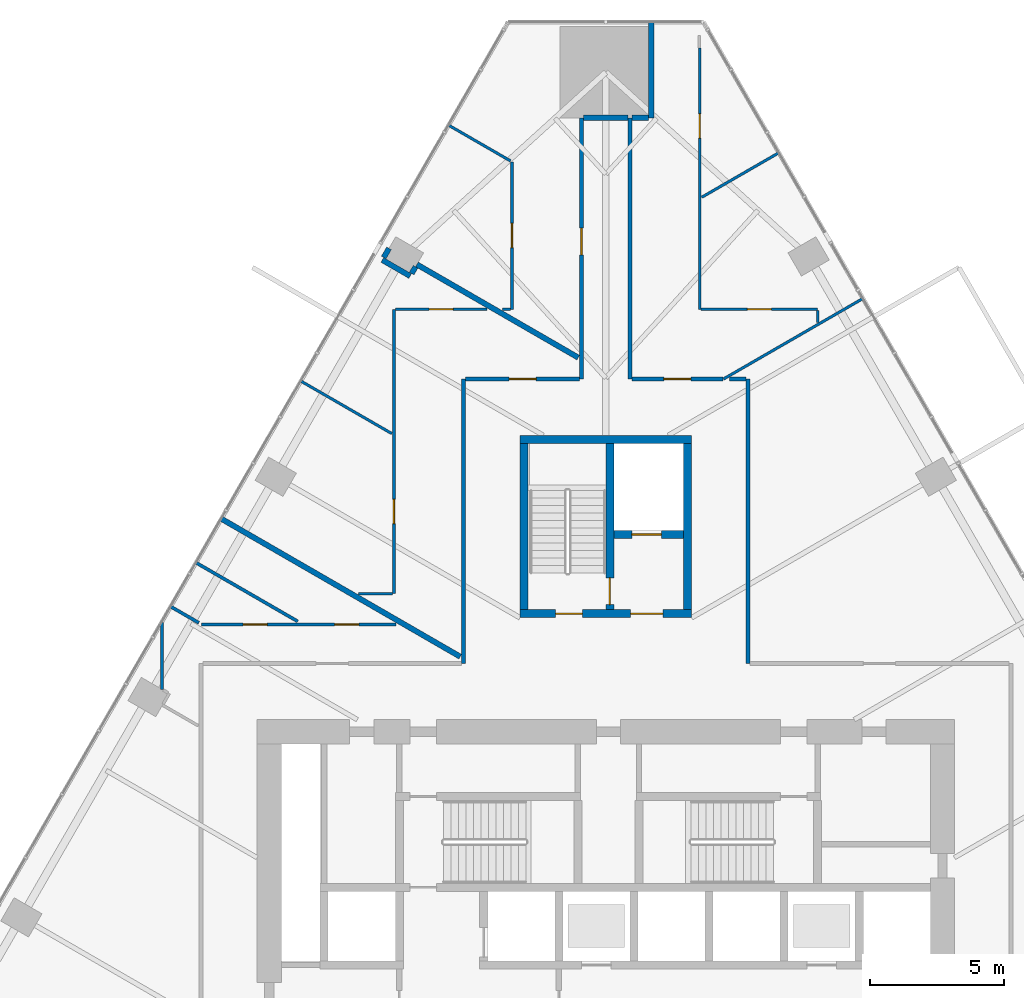
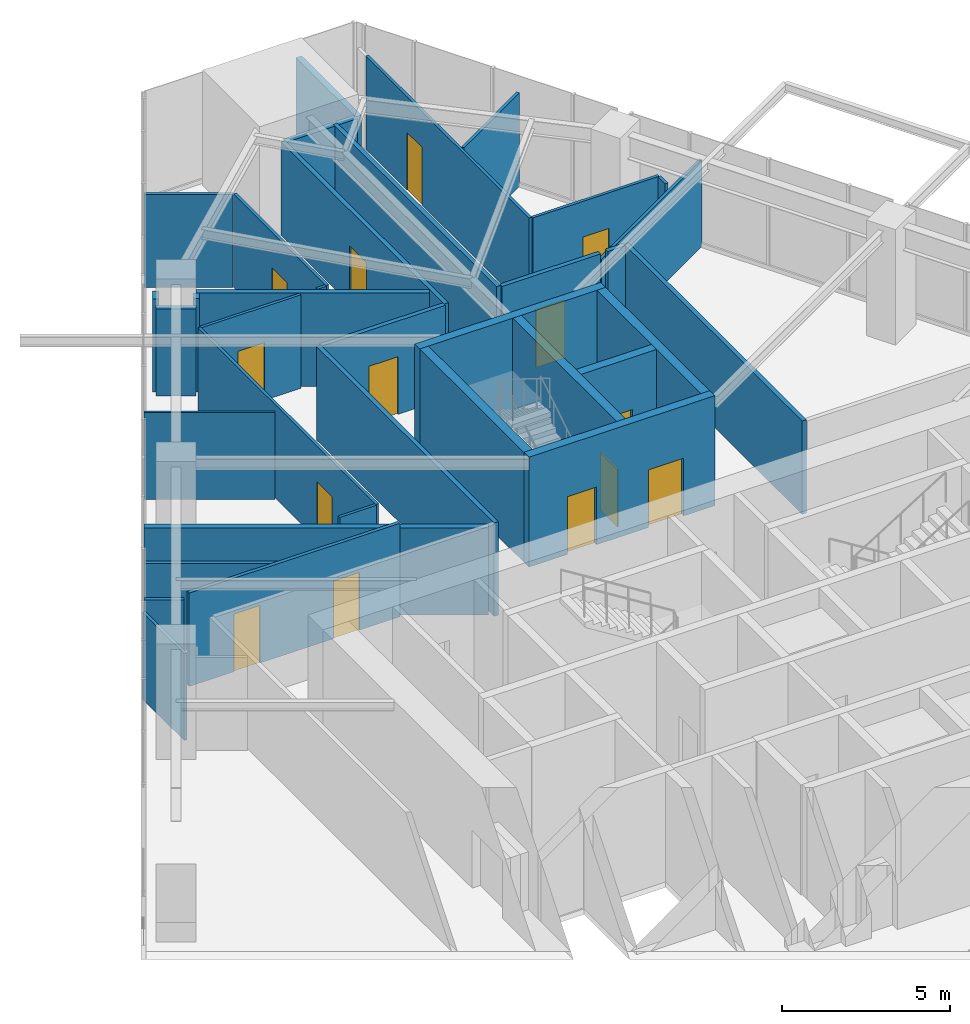
# One storey, part 23 of 26: 37 walls, 14 doors, 14 openings.
"""IFC4 building model written with IfcOpenShell, lengths in metres."""

from ifc_helpers import new_model, si_unit, direction, frame, frame_2d, origin, place, context, subcontext, project, spatial, rectangle, extrude, material, layer, layer_set, type_object, element, fill, save


model = new_model("IFC4")

# Units and contexts
model_context = context("Model", 3, precision=1e-05, world=origin(), true_north=direction((0.0, 1.0)))
body_context = subcontext(model_context, "Body", "Model", "MODEL_VIEW")
ifc_project = project(units=[si_unit("LENGTHUNIT", "METRE"), si_unit("AREAUNIT", "SQUARE_METRE"), si_unit("VOLUMEUNIT", "CUBIC_METRE"), si_unit("PLANEANGLEUNIT", "RADIAN"), si_unit("MASSUNIT", "GRAM", prefix="KILO")], contexts=[model_context])

# Site, building, storey
site_placement = place(None, origin())
site = spatial("IfcSite", under=ifc_project, at=site_placement, CompositionType="ELEMENT")
building_placement = place(site_placement, origin())
building = spatial("IfcBuilding", under=site, at=building_placement, Name="Firuza Gate Tower and Library", CompositionType="ELEMENT")
storey_placement = place(building_placement, frame((0.0, 0.0, 77.800048828125)))
storey = spatial("IfcBuildingStorey", under=building, at=storey_placement, Name="L17", CompositionType="ELEMENT", Elevation=77.800048828125)

# Wall, openings, doors
ifc_material_1 = material(Name="Concrete C80/95", Category="concrete")
ifc_layer_1 = layer(ifc_material_1, 0.300048828125)
ifc_layer_set_1 = layer_set([ifc_layer_1], Name="Core wall 300 C80/95")
wall_type_1 = type_object("IfcWallType", Name="Core wall 300 C80/95", PredefinedType="SHEAR", material=ifc_layer_set_1)
wall_1_placement = place(storey_placement, frame((71.800048828125, 87.949951171875, 0.0), z_axis=(0.0, 0.0, 1.0), x_axis=(1.0, 0.0, 0.0)))
wall_1 = element("IfcWall", 1, at=wall_1_placement, inside=storey, type_object=wall_type_1, Name="Core wall L17 34", PredefinedType="SHEAR", context=body_context, shape_type="SweptSolid", body=[
    extrude(rectangle(XDim=6.39990234375, YDim=0.300048828125, at=frame_2d((3.199951171875, 0.0))), origin(), (0.0, 0.0, 1.0), 4.0),
])
opening_1_placement = place(wall_1_placement, frame((1.324951171875, 0.0, 0.0)))
opening_1 = element("IfcOpeningElement", 2, at=opening_1_placement, cuts=wall_1, Name="Opening L17-K17", PredefinedType="OPENING", context=body_context, shape_type="SweptSolid", body=[
    extrude(rectangle(XDim=1.0, YDim=2.10009765625, at=frame_2d((0.5, 1.050048828125))), frame((0.0, 0.16015625, 0.0), z_axis=(0.0, -1.0, 0.0), x_axis=(1.0, 0.0, 0.0)), (0.0, 0.0, 1.0), 0.320068359375),
])
opening_2_placement = place(wall_1_placement, frame((4.125, 0.0, 0.0)))
opening_2 = element("IfcOpeningElement", 3, at=opening_2_placement, cuts=wall_1, Name="Opening L17-K19", PredefinedType="OPENING", context=body_context, shape_type="SweptSolid", body=[
    extrude(rectangle(XDim=1.199951171875, YDim=2.10009765625, at=frame_2d((0.60009765625, 1.050048828125))), frame((0.0, 0.16015625, 0.0), z_axis=(0.0, -1.0, 0.0), x_axis=(1.0, 0.0, 0.0)), (0.0, 0.0, 1.0), 0.320068359375),
])
ifc_material_2 = material(Name="Steel", Category="steel")
door_type_1 = type_object("IfcDoorType", Name="Fire door 1000x2100 FD90", OperationType="NOTDEFINED", PredefinedType="DOOR", material=ifc_material_2)
door_1_placement = place(opening_1_placement, origin())
door_1 = element("IfcDoor", 4, at=door_1_placement, inside=storey, type_object=door_type_1, Name="Door L17-K17", OperationType="SINGLE_SWING_RIGHT", OverallHeight=2.10009765625, OverallWidth=1.0, PredefinedType="DOOR", context=body_context, shape_type="SweptSolid", body=[
    extrude(rectangle(XDim=1.0, YDim=2.10009765625, at=frame_2d((0.5, 1.050048828125))), frame((0.0, 0.02490234375, 0.0), z_axis=(0.0, -1.0, 0.0), x_axis=(1.0, 0.0, 0.0)), (0.0, 0.0, 1.0), 0.050048828125),
])
fill(opening_1, door_1)
ifc_material_3 = material(Name="Steel", Category="steel")
door_type_2 = type_object("IfcDoorType", Name="Fire door 1200x2100 FD30S", OperationType="NOTDEFINED", PredefinedType="DOOR", material=ifc_material_3)
door_2_placement = place(opening_2_placement, origin())
door_2 = element("IfcDoor", 5, at=door_2_placement, inside=storey, type_object=door_type_2, Name="Door L17-K19", OperationType="SINGLE_SWING_RIGHT", OverallHeight=2.10009765625, OverallWidth=1.199951171875, PredefinedType="DOOR", context=body_context, shape_type="SweptSolid", body=[
    extrude(rectangle(XDim=1.199951171875, YDim=2.10009765625, at=frame_2d((0.60009765625, 1.050048828125))), frame((0.0, 0.02490234375, 0.0), z_axis=(0.0, -1.0, 0.0), x_axis=(1.0, 0.0, 0.0)), (0.0, 0.0, 1.0), 0.050048828125),
])
fill(opening_2, door_2)

# Walls
wall_2_placement = place(storey_placement, frame((71.800048828125, 94.449951171875, 0.0), z_axis=(0.0, 0.0, 1.0), x_axis=(1.0, 0.0, 0.0)))
element("IfcWall", 6, at=wall_2_placement, inside=storey, type_object=wall_type_1, Name="Core wall L17 35", PredefinedType="SHEAR", context=body_context, shape_type="SweptSolid", body=[
    extrude(rectangle(XDim=6.39990234375, YDim=0.300048828125, at=frame_2d((3.199951171875, 0.0))), origin(), (0.0, 0.0, 1.0), 4.0),
])
for number, where, z_axis, x_axis, name in (
    (7, (71.949951171875, 88.10009765625, 0.0), (0.0, 0.0, 1.0), (0.0, 1.0, 0.0), "Core wall L17 36"),
    (8, (78.050048828125, 88.10009765625, 0.0), (0.0, 0.0, 1.0), (0.0, 1.0, 0.0), "Core wall L17 37"),
):
    element("IfcWall", number, at=place(storey_placement, frame(where, z_axis=z_axis, x_axis=x_axis)), inside=storey, type_object=wall_type_1, Name=name, PredefinedType="SHEAR", context=body_context, shape_type="SweptSolid", body=[
        extrude(rectangle(XDim=6.199951171875, YDim=0.300048828125, at=frame_2d((3.10009765625, 0.0))), origin(), (0.0, 0.0, 1.0), 4.0),
    ])

# Wall, opening, door
wall_3_placement = place(storey_placement, frame((75.300048828125, 90.89990234375, 0.0), z_axis=(0.0, 0.0, 1.0), x_axis=(1.0, 0.0, 0.0)))
wall_3 = element("IfcWall", 9, at=wall_3_placement, inside=storey, type_object=wall_type_1, Name="Core wall L17 38", PredefinedType="SHEAR", context=body_context, shape_type="SweptSolid", body=[
    extrude(rectangle(XDim=2.599853515625, YDim=0.300048828125, at=frame_2d((1.2998046875, 0.0))), origin(), (0.0, 0.0, 1.0), 4.0),
])
opening_3_placement = place(wall_3_placement, frame((0.675048828125, 0.0, 0.0)))
opening_3 = element("IfcOpeningElement", 10, at=opening_3_placement, cuts=wall_3, Name="Opening LD-SV1-L17", PredefinedType="OPENING", context=body_context, shape_type="SweptSolid", body=[
    extrude(rectangle(XDim=1.10009765625, YDim=2.10009765625, at=frame_2d((0.550048828125, 1.050048828125))), frame((0.0, 0.16015625, 0.0), z_axis=(0.0, -1.0, 0.0), x_axis=(1.0, 0.0, 0.0)), (0.0, 0.0, 1.0), 0.320068359375),
])
ifc_material_4 = material(Name="Stainless steel", Category="steel")
door_type_3 = type_object("IfcDoorType", Name="Lift landing door 1100x2100", OperationType="DOUBLE_DOOR_SLIDING", PredefinedType="DOOR", material=ifc_material_4)
door_3_placement = place(opening_3_placement, origin())
door_3 = element("IfcDoor", 11, at=door_3_placement, inside=storey, type_object=door_type_3, Name="Landing door SV1 L17", OperationType="DOUBLE_DOOR_SLIDING", OverallHeight=2.10009765625, OverallWidth=1.10009765625, PredefinedType="DOOR", context=body_context, shape_type="SweptSolid", body=[
    extrude(rectangle(XDim=1.10009765625, YDim=2.10009765625, at=frame_2d((0.550048828125, 1.050048828125))), frame((0.0, 0.02490234375, 0.0), z_axis=(0.0, -1.0, 0.0), x_axis=(1.0, 0.0, 0.0)), (0.0, 0.0, 1.0), 0.050048828125),
])
fill(opening_3, door_3)

wall_4_placement = place(storey_placement, frame((75.14990234375, 88.10009765625, 0.0), z_axis=(0.0, 0.0, 1.0), x_axis=(0.0, 1.0, 0.0)))
wall_4 = element("IfcWall", 12, at=wall_4_placement, inside=storey, type_object=wall_type_1, Name="Core wall L17 39", PredefinedType="SHEAR", context=body_context, shape_type="SweptSolid", body=[
    extrude(rectangle(XDim=6.199951171875, YDim=0.300048828125, at=frame_2d((3.10009765625, 0.0))), origin(), (0.0, 0.0, 1.0), 4.0),
])
opening_4_placement = place(wall_4_placement, frame((0.18505859375, 0.0, 0.0)))
opening_4 = element("IfcOpeningElement", 13, at=opening_4_placement, cuts=wall_4, Name="Opening L17-K18", PredefinedType="OPENING", context=body_context, shape_type="SweptSolid", body=[
    extrude(rectangle(XDim=1.0, YDim=2.10009765625, at=frame_2d((0.5, 1.050048828125))), frame((0.0, 0.16015625, 0.0), z_axis=(0.0, -1.0, 0.0), x_axis=(1.0, 0.0, 0.0)), (0.0, 0.0, 1.0), 0.320068359375),
])
door_4_placement = place(opening_4_placement, origin())
door_4 = element("IfcDoor", 14, at=door_4_placement, inside=storey, type_object=door_type_1, Name="Door L17-K18", OperationType="SINGLE_SWING_LEFT", OverallHeight=2.10009765625, OverallWidth=1.0, PredefinedType="DOOR", context=body_context, shape_type="SweptSolid", body=[
    extrude(rectangle(XDim=1.0, YDim=2.10009765625, at=frame_2d((0.5, 1.050048828125))), frame((0.0, 0.02490234375, 0.0), z_axis=(0.0, -1.0, 0.0), x_axis=(1.0, 0.0, 0.0)), (0.0, 0.0, 1.0), 0.050048828125),
])
fill(opening_4, door_4)

ifc_material_5 = material(Name="Gypsum board partition")
ifc_layer_2 = layer(ifc_material_5, 0.14990234375)
ifc_layer_set_2 = layer_set([ifc_layer_2], Name="Corridor wall 150 double board on steel studs")
wall_type_2 = type_object("IfcWallType", Name="Corridor wall 150 double board on steel studs", PredefinedType="PARTITIONING", material=ifc_layer_set_2)
wall_5_placement = place(storey_placement, frame((74.02490234375, 96.699951171875, 0.0), z_axis=(0.0, 0.0, 1.0), x_axis=(-1.0, 0.0, 0.0)))
wall_5 = element("IfcWall", 15, at=wall_5_placement, inside=storey, type_object=wall_type_2, Name="f:L17:w008", PredefinedType="PARTITIONING", context=body_context, shape_type="SweptSolid", body=[
    extrude(rectangle(XDim=4.25, YDim=0.14990234375, at=frame_2d((2.125, 0.0))), origin(), (0.0, 0.0, 1.0), 3.39990234375),
])
opening_5_placement = place(wall_5_placement, frame((1.625, 0.0, 0.0)))
opening_5 = element("IfcOpeningElement", 16, at=opening_5_placement, cuts=wall_5, Name="Opening L17-12", PredefinedType="OPENING", context=body_context, shape_type="SweptSolid", body=[
    extrude(rectangle(XDim=1.0, YDim=2.10009765625, at=frame_2d((0.5, 1.050048828125))), frame((0.0, 0.0849609375, 0.0), z_axis=(0.0, -1.0, 0.0), x_axis=(1.0, 0.0, 0.0)), (0.0, 0.0, 1.0), 0.169921875),
])
ifc_material_6 = material(Name="Steel door and timber leaf", Category="steel")
door_type_4 = type_object("IfcDoorType", Name="Fire door 1000 x 2100 steel frame, timber leaf", OperationType="NOTDEFINED", PredefinedType="DOOR", material=ifc_material_6)
door_5_placement = place(opening_5_placement, origin())
door_5 = element("IfcDoor", 17, at=door_5_placement, inside=storey, type_object=door_type_4, Name="f:L17:d012", OperationType="SINGLE_SWING_LEFT", OverallHeight=2.10009765625, OverallWidth=1.0, PredefinedType="DOOR", context=body_context, shape_type="SweptSolid", body=[
    extrude(rectangle(XDim=1.0, YDim=2.10009765625, at=frame_2d((0.5, 1.050048828125))), frame((0.0, 0.02490234375, 0.0), z_axis=(0.0, -1.0, 0.0), x_axis=(1.0, 0.0, 0.0)), (0.0, 0.0, 1.0), 0.050048828125),
])
fill(opening_5, door_5)

wall_6_placement = place(storey_placement, frame((75.97509765625, 96.699951171875, 0.0), z_axis=(0.0, 0.0, 1.0), x_axis=(1.0, 0.0, 0.0)))
wall_6 = element("IfcWall", 18, at=wall_6_placement, inside=storey, type_object=wall_type_2, Name="f:L17:w009", PredefinedType="PARTITIONING", context=body_context, shape_type="SweptSolid", body=[
    extrude(rectangle(XDim=3.386962890625, YDim=0.14990234375, at=frame_2d((1.693359375, 0.0))), origin(), (0.0, 0.0, 1.0), 3.39990234375),
])
opening_6_placement = place(wall_6_placement, frame((1.193603515625, 0.0, 0.0)))
opening_6 = element("IfcOpeningElement", 19, at=opening_6_placement, cuts=wall_6, Name="Opening L17-13", PredefinedType="OPENING", context=body_context, shape_type="SweptSolid", body=[
    extrude(rectangle(XDim=1.0, YDim=2.10009765625, at=frame_2d((0.5, 1.050048828125))), frame((0.0, 0.0849609375, 0.0), z_axis=(0.0, -1.0, 0.0), x_axis=(1.0, 0.0, 0.0)), (0.0, 0.0, 1.0), 0.169921875),
])
door_6_placement = place(opening_6_placement, origin())
door_6 = element("IfcDoor", 20, at=door_6_placement, inside=storey, type_object=door_type_4, Name="f:L17:d013", OperationType="SINGLE_SWING_LEFT", OverallHeight=2.10009765625, OverallWidth=1.0, PredefinedType="DOOR", context=body_context, shape_type="SweptSolid", body=[
    extrude(rectangle(XDim=1.0, YDim=2.10009765625, at=frame_2d((0.5, 1.050048828125))), frame((0.0, 0.02490234375, 0.0), z_axis=(0.0, -1.0, 0.0), x_axis=(1.0, 0.0, 0.0)), (0.0, 0.0, 1.0), 0.050048828125),
])
fill(opening_6, door_6)

# Walls
wall_7_placement = place(storey_placement, frame((80.300048828125, 86.10009765625, 0.0), z_axis=(0.0, 0.0, 1.0), x_axis=(0.0, 1.0, 0.0)))
element("IfcWall", 21, at=wall_7_placement, inside=storey, type_object=wall_type_2, Name="f:L17:w035", PredefinedType="PARTITIONING", context=body_context, shape_type="SweptSolid", body=[
    extrude(rectangle(XDim=10.599365234375, YDim=0.14990234375, at=frame_2d((5.2998046875, 0.0))), origin(), (0.0, 0.0, 1.0), 3.39990234375),
])
wall_8_placement = place(storey_placement, frame((75.89990234375, 96.699951171875, 0.0), z_axis=(0.0, 0.0, 1.0), x_axis=(0.0, 1.0, 0.0)))
element("IfcWall", 22, at=wall_8_placement, inside=storey, type_object=wall_type_2, Name="f:L17:w040", PredefinedType="PARTITIONING", context=body_context, shape_type="SweptSolid", body=[
    extrude(rectangle(XDim=9.736572265625, YDim=0.14990234375, at=frame_2d((4.8681640625, 0.0))), origin(), (0.0, 0.0, 1.0), 3.39990234375),
])

# Wall, opening, door
wall_9_placement = place(storey_placement, frame((74.10009765625, 96.699951171875, 0.0), z_axis=(0.0, 0.0, 1.0), x_axis=(0.0, 1.0, 0.0)))
wall_9 = element("IfcWall", 23, at=wall_9_placement, inside=storey, type_object=wall_type_2, Name="f:L17:w041", PredefinedType="PARTITIONING", context=body_context, shape_type="SweptSolid", body=[
    extrude(rectangle(XDim=9.736083984375, YDim=0.14990234375, at=frame_2d((4.8681640625, 0.0))), origin(), (0.0, 0.0, 1.0), 3.39990234375),
])
opening_7_placement = place(wall_9_placement, frame((4.62890625, 0.0, 0.0)))
opening_7 = element("IfcOpeningElement", 24, at=opening_7_placement, cuts=wall_9, Name="Opening L17-25", PredefinedType="OPENING", context=body_context, shape_type="SweptSolid", body=[
    extrude(rectangle(XDim=1.0, YDim=2.10009765625, at=frame_2d((0.5, 1.050048828125))), frame((0.0, 0.0849609375, 0.0), z_axis=(0.0, -1.0, 0.0), x_axis=(1.0, 0.0, 0.0)), (0.0, 0.0, 1.0), 0.169921875),
])
door_7_placement = place(opening_7_placement, origin())
door_7 = element("IfcDoor", 25, at=door_7_placement, inside=storey, type_object=door_type_4, Name="f:L17:d025", OperationType="SINGLE_SWING_RIGHT", OverallHeight=2.10009765625, OverallWidth=1.0, PredefinedType="DOOR", context=body_context, shape_type="SweptSolid", body=[
    extrude(rectangle(XDim=1.0, YDim=2.10009765625, at=frame_2d((0.5, 1.050048828125))), frame((0.0, 0.02490234375, 0.0), z_axis=(0.0, -1.0, 0.0), x_axis=(1.0, 0.0, 0.0)), (0.0, 0.0, 1.0), 0.050048828125),
])
fill(opening_7, door_7)

# Walls
wall_10_placement = place(storey_placement, frame((69.699951171875, 86.10009765625, 0.0), z_axis=(0.0, 0.0, 1.0), x_axis=(0.0, 1.0, 0.0)))
element("IfcWall", 26, at=wall_10_placement, inside=storey, type_object=wall_type_2, Name="f:L17:w044", PredefinedType="PARTITIONING", context=body_context, shape_type="SweptSolid", body=[
    extrude(rectangle(XDim=10.599853515625, YDim=0.14990234375, at=frame_2d((5.2998046875, 0.0))), origin(), (0.0, 0.0, 1.0), 3.39990234375),
])
wall_11_placement = place(storey_placement, frame((79.6171875, 96.699951171875, 0.0), z_axis=(0.0, 0.0, 1.0), x_axis=(1.0, 0.0, 0.0)))
element("IfcWall", 27, at=wall_11_placement, inside=storey, type_object=wall_type_2, Name="f:L17:w074", PredefinedType="PARTITIONING", context=body_context, shape_type="SweptSolid", body=[
    extrude(rectangle(XDim=0.607177734375, YDim=0.14990234375, at=frame_2d((0.3037109375, 0.0))), origin(), (0.0, 0.0, 1.0), 3.39990234375),
])
ifc_material_7 = material(Name="Gypsum board partition")
ifc_layer_3 = layer(ifc_material_7, 0.199951171875)
ifc_layer_set_3 = layer_set([ifc_layer_3], Name="Demising wall 200 acoustic double stud")
wall_type_3 = type_object("IfcWallType", Name="Demising wall 200 acoustic double stud", PredefinedType="PARTITIONING", material=ifc_layer_set_3)
wall_12_placement = place(storey_placement, frame((74.175537109375, 106.43701171875, 0.0), z_axis=(0.0, 0.0, 1.0), x_axis=(1.0, 0.0, 0.0)))
element("IfcWall", 28, at=wall_12_placement, inside=storey, type_object=wall_type_3, Name="f:L17:w012", PredefinedType="PARTITIONING", context=body_context, shape_type="SweptSolid", body=[
    extrude(rectangle(XDim=1.6494140625, YDim=0.199951171875, at=frame_2d((0.82470703125, 0.0))), origin(), (0.0, 0.0, 1.0), 3.39697265625),
])
wall_13_placement = place(storey_placement, frame((67.761474609375, 100.63427734375, 0.0), z_axis=(0.0, 0.0, 1.0), x_axis=(0.500305662732, 0.865848857387, 0.0)))
element("IfcWall", 29, at=wall_13_placement, inside=storey, type_object=wall_type_3, Name="f:L17:w027", PredefinedType="PARTITIONING", context=body_context, shape_type="SweptSolid", body=[
    extrude(rectangle(XDim=0.289794921875, YDim=0.199951171875, at=frame_2d((0.14501953125, 0.0))), origin(), (0.0, 0.0, 1.0), 3.39990234375),
])
wall_14_placement = place(storey_placement, frame((66.720703125, 101.231689453125, 0.0), z_axis=(0.0, 0.0, 1.0), x_axis=(0.500080938595, 0.865978668822, 0.0)))
element("IfcWall", 30, at=wall_14_placement, inside=storey, type_object=wall_type_3, Name="f:L17:w028", PredefinedType="PARTITIONING", context=body_context, shape_type="SweptSolid", body=[
    extrude(rectangle(XDim=0.39306640625, YDim=0.199951171875, at=frame_2d((0.196533203125, 0.0))), origin(), (0.0, 0.0, 1.0), 3.39990234375),
])
wall_15_placement = place(storey_placement, frame((76.699951171875, 106.43701171875, 0.0), z_axis=(0.0, 0.0, 1.0), x_axis=(0.0, 1.0, 0.0)))
element("IfcWall", 31, at=wall_15_placement, inside=storey, type_object=wall_type_3, Name="f:L17:w039", PredefinedType="PARTITIONING", context=body_context, shape_type="SweptSolid", body=[
    extrude(rectangle(XDim=3.5595703125, YDim=0.199951171875, at=frame_2d((1.77978515625, 0.0))), origin(), (0.0, 0.0, 1.0), 3.39990234375),
])
wall_16_placement = place(storey_placement, frame((73.973388671875, 97.498779296875, 0.0), z_axis=(0.0, 0.0, 1.0), x_axis=(-0.866037536751, 0.499978984496, 0.0)))
element("IfcWall", 32, at=wall_16_placement, inside=storey, type_object=wall_type_3, Name="f:L17:w060", PredefinedType="PARTITIONING", context=body_context, shape_type="SweptSolid", body=[
    extrude(rectangle(XDim=6.947509765625, YDim=0.199951171875, at=frame_2d((3.4736328125, 0.0))), origin(), (0.0, 0.0, 1.0), 3.39990234375),
])
wall_17_placement = place(storey_placement, frame((67.70654296875, 100.539306640625, 0.0), z_axis=(0.0, 0.0, 1.0), x_axis=(-0.865955154139, 0.50012165622, 0.0)))
element("IfcWall", 33, at=wall_17_placement, inside=storey, type_object=wall_type_3, Name="f:L17:w061", PredefinedType="PARTITIONING", context=body_context, shape_type="SweptSolid", body=[
    extrude(rectangle(XDim=1.199951171875, YDim=0.199951171875, at=frame_2d((0.60009765625, 0.0))), origin(), (0.0, 0.0, 1.0), 3.1650390625),
])
wall_18_placement = place(storey_placement, frame((69.572998046875, 86.347900390625, 0.0), z_axis=(0.0, 0.0, 1.0), x_axis=(-0.866024495625, 0.500001572974, 0.0)))
element("IfcWall", 34, at=wall_18_placement, inside=storey, type_object=wall_type_3, Name="f:L17:w063", PredefinedType="PARTITIONING", context=body_context, shape_type="SweptSolid", body=[
    extrude(rectangle(XDim=10.27197265625, YDim=0.199951171875, at=frame_2d((5.135986328125, 0.0))), origin(), (0.0, 0.0, 1.0), 3.1650390625),
])
wall_19_placement = place(storey_placement, frame((75.97509765625, 106.43701171875, 0.0), z_axis=(0.0, 0.0, 1.0), x_axis=(1.0, 0.0, 0.0)))
element("IfcWall", 35, at=wall_19_placement, inside=storey, type_object=wall_type_3, Name="f:L17:w076", PredefinedType="PARTITIONING", context=body_context, shape_type="SweptSolid", body=[
    extrude(rectangle(XDim=0.62451171875, YDim=0.199951171875, at=frame_2d((0.312255859375, 0.0))), origin(), (0.0, 0.0, 1.0), 3.39990234375),
])
ifc_material_8 = material(Name="Gypsum board partition")
ifc_layer_4 = layer(ifc_material_8, 0.10009765625)
ifc_layer_set_4 = layer_set([ifc_layer_4], Name="Partition 100 gypsum board on steel studs")
wall_type_4 = type_object("IfcWallType", Name="Partition 100 gypsum board on steel studs", PredefinedType="PARTITIONING", material=ifc_layer_set_4)
wall_20_placement = place(storey_placement, frame((65.788818359375, 88.699951171875, 0.0), z_axis=(0.0, 0.0, 1.0), x_axis=(1.0, 0.0, 0.0)))
element("IfcWall", 36, at=wall_20_placement, inside=storey, type_object=wall_type_4, Name="f:L17:w007", PredefinedType="PARTITIONING", context=body_context, shape_type="SweptSolid", body=[
    extrude(rectangle(XDim=1.26123046875, YDim=0.10009765625, at=frame_2d((0.630615234375, 0.0))), origin(), (0.0, 0.0, 1.0), 3.39990234375),
])

# Wall, opening, door
wall_21_placement = place(storey_placement, frame((70.566650390625, 99.300048828125, 0.0), z_axis=(0.0, 0.0, 1.0), x_axis=(-1.0, 0.0, 0.0)))
wall_21 = element("IfcWall", 37, at=wall_21_placement, inside=storey, type_object=wall_type_4, Name="f:L17:w010", PredefinedType="PARTITIONING", context=body_context, shape_type="SweptSolid", body=[
    extrude(rectangle(XDim=3.416748046875, YDim=0.10009765625, at=frame_2d((1.70849609375, 0.0))), origin(), (0.0, 0.0, 1.0), 3.39990234375),
])
opening_8_placement = place(wall_21_placement, frame((1.25830078125, 0.0, 0.0)))
opening_8 = element("IfcOpeningElement", 38, at=opening_8_placement, cuts=wall_21, Name="Opening L17-14", PredefinedType="OPENING", context=body_context, shape_type="SweptSolid", body=[
    extrude(rectangle(XDim=0.89990234375, YDim=2.10009765625, at=frame_2d((0.449951171875, 1.050048828125))), frame((0.0, 0.06005859375, 0.0), z_axis=(0.0, -1.0, 0.0), x_axis=(1.0, 0.0, 0.0)), (0.0, 0.0, 1.0), 0.1201171875),
])
ifc_material_9 = material(Name="Timber door", Category="wood")
door_type_5 = type_object("IfcDoorType", Name="Door 900 x 2100 timber leaf", OperationType="NOTDEFINED", PredefinedType="DOOR", material=ifc_material_9)
door_8_placement = place(opening_8_placement, origin())
door_8 = element("IfcDoor", 39, at=door_8_placement, inside=storey, type_object=door_type_5, Name="f:L17:d014", OperationType="SINGLE_SWING_RIGHT", OverallHeight=2.10009765625, OverallWidth=0.89990234375, PredefinedType="DOOR", context=body_context, shape_type="SweptSolid", body=[
    extrude(rectangle(XDim=0.89990234375, YDim=2.10009765625, at=frame_2d((0.449951171875, 1.050048828125))), frame((0.0, 0.02490234375, 0.0), z_axis=(0.0, -1.0, 0.0), x_axis=(1.0, 0.0, 0.0)), (0.0, 0.0, 1.0), 0.050048828125),
])
fill(opening_8, door_8)

wall_22_placement = place(storey_placement, frame((78.550048828125, 99.300048828125, 0.0), z_axis=(0.0, 0.0, 1.0), x_axis=(1.0, 0.0, 0.0)))
wall_22 = element("IfcWall", 40, at=wall_22_placement, inside=storey, type_object=wall_type_4, Name="f:L17:w011", PredefinedType="PARTITIONING", context=body_context, shape_type="SweptSolid", body=[
    extrude(rectangle(XDim=4.349365234375, YDim=0.10009765625, at=frame_2d((2.1748046875, 0.0))), origin(), (0.0, 0.0, 1.0), 3.39990234375),
])
opening_9_placement = place(wall_22_placement, frame((1.724853515625, 0.0, 0.0)))
opening_9 = element("IfcOpeningElement", 41, at=opening_9_placement, cuts=wall_22, Name="Opening L17-15", PredefinedType="OPENING", context=body_context, shape_type="SweptSolid", body=[
    extrude(rectangle(XDim=0.89990234375, YDim=2.10009765625, at=frame_2d((0.449951171875, 1.050048828125))), frame((0.0, 0.06005859375, 0.0), z_axis=(0.0, -1.0, 0.0), x_axis=(1.0, 0.0, 0.0)), (0.0, 0.0, 1.0), 0.1201171875),
])
door_9_placement = place(opening_9_placement, origin())
door_9 = element("IfcDoor", 42, at=door_9_placement, inside=storey, type_object=door_type_5, Name="f:L17:d015", OperationType="SINGLE_SWING_RIGHT", OverallHeight=2.10009765625, OverallWidth=0.89990234375, PredefinedType="DOOR", context=body_context, shape_type="SweptSolid", body=[
    extrude(rectangle(XDim=0.89990234375, YDim=2.10009765625, at=frame_2d((0.449951171875, 1.050048828125))), frame((0.0, 0.02490234375, 0.0), z_axis=(0.0, -1.0, 0.0), x_axis=(1.0, 0.0, 0.0)), (0.0, 0.0, 1.0), 0.050048828125),
])
fill(opening_9, door_9)

# Walls
wall_23_placement = place(storey_placement, frame((79.386962890625, 96.699951171875, 0.0), z_axis=(0.0, 0.0, 1.0), x_axis=(0.866032365835, 0.499987941182, 0.0)))
element("IfcWall", 43, at=wall_23_placement, inside=storey, type_object=wall_type_4, Name="f:L17:w023", PredefinedType="PARTITIONING", context=body_context, shape_type="SweptSolid", body=[
    extrude(rectangle(XDim=5.996826171875, YDim=0.10009765625, at=frame_2d((2.99853515625, 0.0))), origin(), (0.0, 0.0, 1.0), 3.1650390625),
])
wall_24_placement = place(storey_placement, frame((78.57568359375, 103.47607421875, 0.0), z_axis=(0.0, 0.0, 1.0), x_axis=(0.866043162687, 0.499969239416, 0.0)))
element("IfcWall", 44, at=wall_24_placement, inside=storey, type_object=wall_type_4, Name="f:L17:w024", PredefinedType="PARTITIONING", context=body_context, shape_type="SweptSolid", body=[
    extrude(rectangle(XDim=3.311279296875, YDim=0.10009765625, at=frame_2d((1.65576171875, 0.0))), origin(), (0.0, 0.0, 1.0), 3.39990234375),
])
wall_25_placement = place(storey_placement, frame((82.89990234375, 98.816162109375, 0.0), z_axis=(0.0, 0.0, 1.0), x_axis=(0.0, 1.0, 0.0)))
element("IfcWall", 45, at=wall_25_placement, inside=storey, type_object=wall_type_4, Name="f:L17:w034", PredefinedType="PARTITIONING", context=body_context, shape_type="SweptSolid", body=[
    extrude(rectangle(XDim=0.433349609375, YDim=0.10009765625, at=frame_2d((0.216796875, 0.0))), origin(), (0.0, 0.0, 1.0), 3.39990234375),
])

# Wall, opening, door
wall_26_placement = place(storey_placement, frame((78.5, 99.300048828125, 0.0), z_axis=(0.0, 0.0, 1.0), x_axis=(0.0, 1.0, 0.0)))
wall_26 = element("IfcWall", 46, at=wall_26_placement, inside=storey, type_object=wall_type_4, Name="f:L17:w036", PredefinedType="PARTITIONING", context=body_context, shape_type="SweptSolid", body=[
    extrude(rectangle(XDim=9.73583984375, YDim=0.10009765625, at=frame_2d((4.867919921875, 0.0))), origin(), (0.0, 0.0, 1.0), 3.39990234375),
])
opening_10_placement = place(wall_26_placement, frame((6.38232421875, 0.0, 0.0)))
opening_10 = element("IfcOpeningElement", 47, at=opening_10_placement, cuts=wall_26, Name="Opening L17-24", PredefinedType="OPENING", context=body_context, shape_type="SweptSolid", body=[
    extrude(rectangle(XDim=0.89990234375, YDim=2.10009765625, at=frame_2d((0.449951171875, 1.050048828125))), frame((0.0, 0.06005859375, 0.0), z_axis=(0.0, -1.0, 0.0), x_axis=(1.0, 0.0, 0.0)), (0.0, 0.0, 1.0), 0.1201171875),
])
door_10_placement = place(opening_10_placement, origin())
door_10 = element("IfcDoor", 48, at=door_10_placement, inside=storey, type_object=door_type_5, Name="f:L17:d024", OperationType="SINGLE_SWING_LEFT", OverallHeight=2.10009765625, OverallWidth=0.89990234375, PredefinedType="DOOR", context=body_context, shape_type="SweptSolid", body=[
    extrude(rectangle(XDim=0.89990234375, YDim=2.10009765625, at=frame_2d((0.449951171875, 1.050048828125))), frame((0.0, 0.02490234375, 0.0), z_axis=(0.0, -1.0, 0.0), x_axis=(1.0, 0.0, 0.0)), (0.0, 0.0, 1.0), 0.050048828125),
])
fill(opening_10, door_10)

wall_27_placement = place(storey_placement, frame((71.5, 104.80078125, 0.0), z_axis=(0.0, 0.0, 1.0), x_axis=(0.0, -1.0, 0.0)))
wall_27 = element("IfcWall", 49, at=wall_27_placement, inside=storey, type_object=wall_type_4, Name="f:L17:w043", PredefinedType="PARTITIONING", context=body_context, shape_type="SweptSolid", body=[
    extrude(rectangle(XDim=5.500732421875, YDim=0.10009765625, at=frame_2d((2.75048828125, 0.0))), origin(), (0.0, 0.0, 1.0), 3.39990234375),
])
opening_11_placement = place(wall_27_placement, frame((2.300537109375, 0.0, 0.0)))
opening_11 = element("IfcOpeningElement", 50, at=opening_11_placement, cuts=wall_27, Name="Opening L17-26", PredefinedType="OPENING", context=body_context, shape_type="SweptSolid", body=[
    extrude(rectangle(XDim=0.89990234375, YDim=2.10009765625, at=frame_2d((0.449951171875, 1.050048828125))), frame((0.0, 0.06005859375, 0.0), z_axis=(0.0, -1.0, 0.0), x_axis=(1.0, 0.0, 0.0)), (0.0, 0.0, 1.0), 0.1201171875),
])
door_11_placement = place(opening_11_placement, origin())
door_11 = element("IfcDoor", 51, at=door_11_placement, inside=storey, type_object=door_type_5, Name="f:L17:d026", OperationType="SINGLE_SWING_RIGHT", OverallHeight=2.10009765625, OverallWidth=0.89990234375, PredefinedType="DOOR", context=body_context, shape_type="SweptSolid", body=[
    extrude(rectangle(XDim=0.89990234375, YDim=2.10009765625, at=frame_2d((0.449951171875, 1.050048828125))), frame((0.0, 0.02490234375, 0.0), z_axis=(0.0, -1.0, 0.0), x_axis=(1.0, 0.0, 0.0)), (0.0, 0.0, 1.0), 0.050048828125),
])
fill(opening_11, door_11)

wall_28_placement = place(storey_placement, frame((67.10009765625, 99.300048828125, 0.0), z_axis=(0.0, 0.0, 1.0), x_axis=(0.0, -1.0, 0.0)))
wall_28 = element("IfcWall", 52, at=wall_28_placement, inside=storey, type_object=wall_type_4, Name="f:L17:w045", PredefinedType="PARTITIONING", context=body_context, shape_type="SweptSolid", body=[
    extrude(rectangle(XDim=10.60009765625, YDim=0.10009765625, at=frame_2d((5.300048828125, 0.0))), origin(), (0.0, 0.0, 1.0), 3.39990234375),
])
opening_12_placement = place(wall_28_placement, frame((7.087646484375, 0.0, 0.0)))
opening_12 = element("IfcOpeningElement", 53, at=opening_12_placement, cuts=wall_28, Name="Opening L17-27", PredefinedType="OPENING", context=body_context, shape_type="SweptSolid", body=[
    extrude(rectangle(XDim=0.89990234375, YDim=2.10009765625, at=frame_2d((0.449951171875, 1.050048828125))), frame((0.0, 0.06005859375, 0.0), z_axis=(0.0, -1.0, 0.0), x_axis=(1.0, 0.0, 0.0)), (0.0, 0.0, 1.0), 0.1201171875),
])
door_12_placement = place(opening_12_placement, origin())
door_12 = element("IfcDoor", 54, at=door_12_placement, inside=storey, type_object=door_type_5, Name="f:L17:d027", OperationType="SINGLE_SWING_LEFT", OverallHeight=2.10009765625, OverallWidth=0.89990234375, PredefinedType="DOOR", context=body_context, shape_type="SweptSolid", body=[
    extrude(rectangle(XDim=0.89990234375, YDim=2.10009765625, at=frame_2d((0.449951171875, 1.050048828125))), frame((0.0, 0.02490234375, 0.0), z_axis=(0.0, -1.0, 0.0), x_axis=(1.0, 0.0, 0.0)), (0.0, 0.0, 1.0), 0.050048828125),
])
fill(opening_12, door_12)

# Walls
wall_29_placement = place(storey_placement, frame((58.449951171875, 85.1328125, 0.0), z_axis=(0.0, 0.0, 1.0), x_axis=(0.0, 1.0, 0.0)))
element("IfcWall", 55, at=wall_29_placement, inside=storey, type_object=wall_type_4, Name="f:L17:w050", PredefinedType="PARTITIONING", context=body_context, shape_type="SweptSolid", body=[
    extrude(rectangle(XDim=2.49365234375, YDim=0.10009765625, at=frame_2d((1.246826171875, 0.0))), origin(), (0.0, 0.0, 1.0), 3.1650390625),
])
wall_30_placement = place(storey_placement, frame((71.449951171875, 104.82958984375, 0.0), z_axis=(0.0, 0.0, 1.0), x_axis=(-0.866023371876, 0.500003519352, 0.0)))
element("IfcWall", 56, at=wall_30_placement, inside=storey, type_object=wall_type_4, Name="f:L17:w059", PredefinedType="PARTITIONING", context=body_context, shape_type="SweptSolid", body=[
    extrude(rectangle(XDim=2.65673828125, YDim=0.10009765625, at=frame_2d((1.328369140625, 0.0))), origin(), (0.0, 0.0, 1.0), 3.39990234375),
])
wall_31_placement = place(storey_placement, frame((67.02392578125, 94.664794921875, 0.0), z_axis=(0.0, 0.0, 1.0), x_axis=(-0.866046116492, 0.499964122822, 0.0)))
element("IfcWall", 57, at=wall_31_placement, inside=storey, type_object=wall_type_4, Name="f:L17:w062", PredefinedType="PARTITIONING", context=body_context, shape_type="SweptSolid", body=[
    extrude(rectangle(XDim=3.906005859375, YDim=0.10009765625, at=frame_2d((1.953125, 0.0))), origin(), (0.0, 0.0, 1.0), 3.1650390625),
])
wall_32_placement = place(storey_placement, frame((71.139892578125, 99.300048828125, 0.0), z_axis=(0.0, 0.0, 1.0), x_axis=(1.0, 0.0, 0.0)))
element("IfcWall", 58, at=wall_32_placement, inside=storey, type_object=wall_type_4, Name="f:L17:w075", PredefinedType="PARTITIONING", context=body_context, shape_type="SweptSolid", body=[
    extrude(rectangle(XDim=0.31005859375, YDim=0.10009765625, at=frame_2d((0.155029296875, 0.0))), origin(), (0.0, 0.0, 1.0), 3.39990234375),
])

# Wall, openings, doors
ifc_material_10 = material(Name="Gypsum board partition")
ifc_layer_5 = layer(ifc_material_10, 0.1201171875)
ifc_layer_set_5 = layer_set([ifc_layer_5], Name="Wet-area partition 120 moisture-resistant board")
wall_type_5 = type_object("IfcWallType", Name="Wet-area partition 120 moisture-resistant board", PredefinedType="PARTITIONING", material=ifc_layer_set_5)
wall_33_placement = place(storey_placement, frame((67.1806640625, 87.550048828125, 0.0), z_axis=(0.0, 0.0, 1.0), x_axis=(-1.0, 0.0, 0.0)))
wall_33 = element("IfcWall", 59, at=wall_33_placement, inside=storey, type_object=wall_type_5, Name="f:L17:w006", PredefinedType="PARTITIONING", context=body_context, shape_type="SweptSolid", body=[
    extrude(rectangle(XDim=7.248779296875, YDim=0.1201171875, at=frame_2d((3.62451171875, 0.0))), origin(), (0.0, 0.0, 1.0), 3.39990234375),
])
opening_13_placement = place(wall_33_placement, frame((1.3876953125, 0.0, 0.0)))
opening_13 = element("IfcOpeningElement", 60, at=opening_13_placement, cuts=wall_33, Name="Opening L17-10", PredefinedType="OPENING", context=body_context, shape_type="SweptSolid", body=[
    extrude(rectangle(XDim=0.89990234375, YDim=2.10009765625, at=frame_2d((0.449951171875, 1.050048828125))), frame((0.0, 0.070068359375, 0.0), z_axis=(0.0, -1.0, 0.0), x_axis=(1.0, 0.0, 0.0)), (0.0, 0.0, 1.0), 0.14013671875),
])
opening_14_placement = place(wall_33_placement, frame((4.807373046875, 0.0, 0.0)))
opening_14 = element("IfcOpeningElement", 61, at=opening_14_placement, cuts=wall_33, Name="Opening L17-11", PredefinedType="OPENING", context=body_context, shape_type="SweptSolid", body=[
    extrude(rectangle(XDim=0.89990234375, YDim=2.10009765625, at=frame_2d((0.449951171875, 1.050048828125))), frame((0.0, 0.070068359375, 0.0), z_axis=(0.0, -1.0, 0.0), x_axis=(1.0, 0.0, 0.0)), (0.0, 0.0, 1.0), 0.14013671875),
])
door_13_placement = place(opening_13_placement, origin())
door_13 = element("IfcDoor", 62, at=door_13_placement, inside=storey, type_object=door_type_5, Name="f:L17:d010", OperationType="SINGLE_SWING_LEFT", OverallHeight=2.10009765625, OverallWidth=0.89990234375, PredefinedType="DOOR", context=body_context, shape_type="SweptSolid", body=[
    extrude(rectangle(XDim=0.89990234375, YDim=2.10009765625, at=frame_2d((0.449951171875, 1.050048828125))), frame((0.0, 0.02490234375, 0.0), z_axis=(0.0, -1.0, 0.0), x_axis=(1.0, 0.0, 0.0)), (0.0, 0.0, 1.0), 0.050048828125),
])
fill(opening_13, door_13)
door_14_placement = place(opening_14_placement, origin())
door_14 = element("IfcDoor", 63, at=door_14_placement, inside=storey, type_object=door_type_5, Name="f:L17:d011", OperationType="SINGLE_SWING_RIGHT", OverallHeight=2.10009765625, OverallWidth=0.89990234375, PredefinedType="DOOR", context=body_context, shape_type="SweptSolid", body=[
    extrude(rectangle(XDim=0.89990234375, YDim=2.10009765625, at=frame_2d((0.449951171875, 1.050048828125))), frame((0.0, 0.02490234375, 0.0), z_axis=(0.0, -1.0, 0.0), x_axis=(1.0, 0.0, 0.0)), (0.0, 0.0, 1.0), 0.050048828125),
])
fill(opening_14, door_14)

# Walls
wall_34_placement = place(storey_placement, frame((63.511962890625, 87.664794921875, 0.0), z_axis=(0.0, 0.0, 1.0), x_axis=(-0.866014185868, 0.500019429497, 0.0)))
element("IfcWall", 64, at=wall_34_placement, inside=storey, type_object=wall_type_5, Name="f:L17:w064", PredefinedType="PARTITIONING", context=body_context, shape_type="SweptSolid", body=[
    extrude(rectangle(XDim=4.364501953125, YDim=0.1201171875, at=frame_2d((2.18212890625, 0.0))), origin(), (0.0, 0.0, 1.0), 3.1650390625),
])
wall_35_placement = place(storey_placement, frame((59.82763671875, 87.609619140625, 0.0), z_axis=(0.0, 0.0, 1.0), x_axis=(-0.865996090227, 0.500050769134, 0.0)))
element("IfcWall", 65, at=wall_35_placement, inside=storey, type_object=wall_type_5, Name="f:L17:w066", PredefinedType="PARTITIONING", context=body_context, shape_type="SweptSolid", body=[
    extrude(rectangle(XDim=1.20166015625, YDim=0.1201171875, at=frame_2d((0.600830078125, 0.0))), origin(), (0.0, 0.0, 1.0), 3.1650390625),
])

save(model, "model.ifc")
